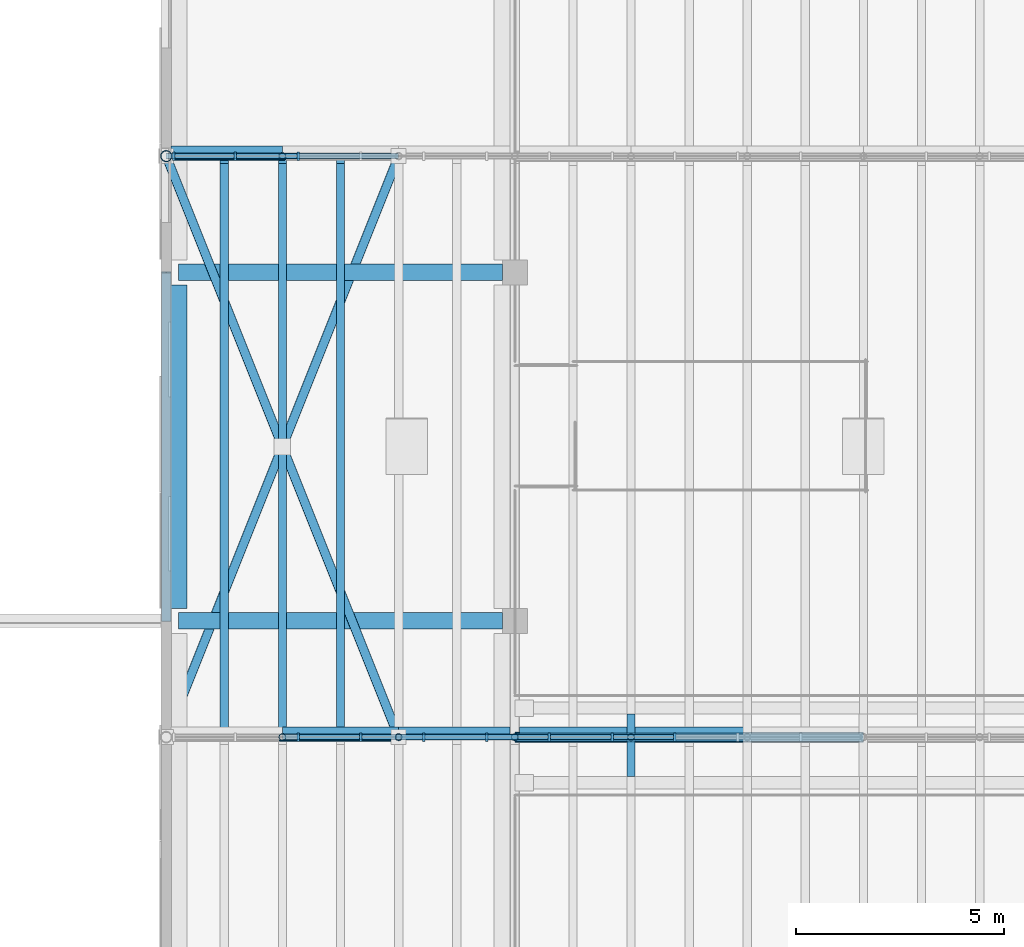
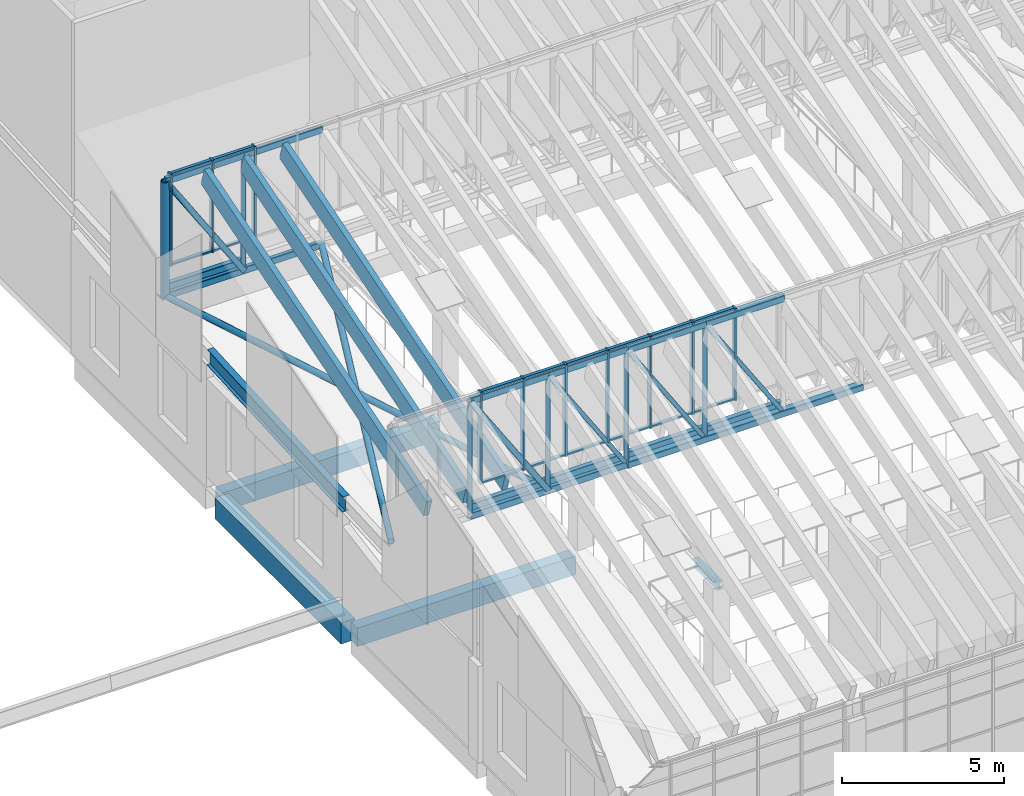
# One storey, part 9 of 91: 54 members, 10 beams, 2 elements without a shape of their own.
"""IFC4 building model written with IfcOpenShell, lengths in metres."""

from ifc_helpers import new_model, si_unit, direction, frame, origin, origin_2d, place, context, subcontext, project, spatial, rectangle, hollow_rectangle, hollow_circle, i_section, extrude, material, material_profile, profile_set, type_object, element, aggregate, save


model = new_model("IFC4")

# Units and contexts
model_context = context("Model", 3, precision=1e-05, world=origin(), true_north=direction((0.0, 1.0)))
body_context = subcontext(model_context, "Body", "Model", "MODEL_VIEW")
ifc_project = project(units=[si_unit("LENGTHUNIT", "METRE"), si_unit("AREAUNIT", "SQUARE_METRE"), si_unit("VOLUMEUNIT", "CUBIC_METRE"), si_unit("PLANEANGLEUNIT", "RADIAN"), si_unit("MASSUNIT", "GRAM", prefix="KILO")], contexts=[model_context])

# Site, building, storey
site_placement = place(None, origin())
site = spatial("IfcSite", under=ifc_project, at=site_placement, CompositionType="ELEMENT")
building_placement = place(site_placement, origin())
building = spatial("IfcBuilding", under=site, at=building_placement, Name="Almond Square Museum", CompositionType="ELEMENT")
storey_placement = place(building_placement, frame((0.0, 0.0, 30.0)))
storey = spatial("IfcBuildingStorey", under=building, at=storey_placement, Name="L05", CompositionType="ELEMENT", Elevation=30.0)

# Curtain wall, members
ifc_material_1 = material(Name="Aluminium and laminated glass", Category="aluminium")
curtain_wall_type = type_object("IfcCurtainWallType", Name="Unitised curtain wall 1500 module", PredefinedType="NOTDEFINED", material=ifc_material_1)
curtain_wall_1_placement = place(storey_placement, origin())
curtain_wall_1 = element("IfcCurtainWall", 1, at=curtain_wall_1_placement, inside=storey, type_object=curtain_wall_type, Name="Rooflight glazing AG1", PredefinedType="NOTDEFINED")
ifc_material_2 = material(Name="Anodised aluminium", Category="aluminium")
ifc_material_profile_1 = material_profile(ifc_material_2, rectangle(XDim=0.199951171875, YDim=0.06005859375, at=origin_2d()))
ifc_profile_set_1 = profile_set([ifc_material_profile_1], Name="Anodised aluminium")
member_type_1 = type_object("IfcMemberType", Name="Aluminium mullion 60 x 200", PredefinedType="MULLION", material=ifc_profile_set_1)
member_1_placement = place(storey_placement, frame((76.377197265625, 81.199951171875, 5.800048828125), z_axis=(0.0, 0.0, 1.0), x_axis=(0.0, 1.0, 0.0)))
member_1 = element("IfcMember", 2, at=member_1_placement, type_object=member_type_1, Name="CW-56 mullion 3", PredefinedType="MULLION", context=body_context, shape_type="SweptSolid", body=[
    extrude(rectangle(XDim=0.199951171875, YDim=0.06005859375, at=origin_2d()), origin(), (0.0, 0.0, 1.0), 3.480224609375),
])
member_2_placement = place(storey_placement, frame((77.890869140625, 81.199951171875, 5.800048828125), z_axis=(0.0, 0.0, 1.0), x_axis=(0.0, 1.0, 0.0)))
member_2 = element("IfcMember", 3, at=member_2_placement, type_object=member_type_1, Name="CW-56 mullion 4", PredefinedType="MULLION", context=body_context, shape_type="SweptSolid", body=[
    extrude(rectangle(XDim=0.199951171875, YDim=0.06005859375, at=origin_2d()), origin(), (0.0, 0.0, 1.0), 3.480224609375),
])
member_3_placement = place(storey_placement, frame((79.404541015625, 81.199951171875, 5.800048828125), z_axis=(0.0, 0.0, 1.0), x_axis=(0.0, 1.0, 0.0)))
member_3 = element("IfcMember", 4, at=member_3_placement, type_object=member_type_1, Name="CW-56 mullion 5", PredefinedType="MULLION", context=body_context, shape_type="SweptSolid", body=[
    extrude(rectangle(XDim=0.199951171875, YDim=0.06005859375, at=origin_2d()), origin(), (0.0, 0.0, 1.0), 3.480224609375),
])
member_4_placement = place(storey_placement, frame((80.918212890625, 81.199951171875, 5.800048828125), z_axis=(0.0, 0.0, 1.0), x_axis=(0.0, 1.0, 0.0)))
member_4 = element("IfcMember", 5, at=member_4_placement, type_object=member_type_1, Name="CW-56 mullion 6", PredefinedType="MULLION", context=body_context, shape_type="SweptSolid", body=[
    extrude(rectangle(XDim=0.199951171875, YDim=0.06005859375, at=origin_2d()), origin(), (0.0, 0.0, 1.0), 3.480224609375),
])
member_5_placement = place(storey_placement, frame((82.431884765625, 81.199951171875, 5.800048828125), z_axis=(0.0, 0.0, 1.0), x_axis=(0.0, 1.0, 0.0)))
member_5 = element("IfcMember", 6, at=member_5_placement, type_object=member_type_1, Name="CW-56 mullion 7", PredefinedType="MULLION", context=body_context, shape_type="SweptSolid", body=[
    extrude(rectangle(XDim=0.199951171875, YDim=0.06005859375, at=origin_2d()), origin(), (0.0, 0.0, 1.0), 3.480224609375),
])
member_6_placement = place(storey_placement, frame((83.945556640625, 81.199951171875, 5.800048828125), z_axis=(0.0, 0.0, 1.0), x_axis=(0.0, 1.0, 0.0)))
member_6 = element("IfcMember", 7, at=member_6_placement, type_object=member_type_1, Name="CW-56 mullion 8", PredefinedType="MULLION", context=body_context, shape_type="SweptSolid", body=[
    extrude(rectangle(XDim=0.199951171875, YDim=0.06005859375, at=origin_2d()), origin(), (0.0, 0.0, 1.0), 3.480224609375),
])
member_7_placement = place(storey_placement, frame((85.458984375, 81.199951171875, 5.800048828125), z_axis=(0.0, 0.0, 1.0), x_axis=(0.0, 1.0, 0.0)))
member_7 = element("IfcMember", 8, at=member_7_placement, type_object=member_type_1, Name="CW-56 mullion 9", PredefinedType="MULLION", context=body_context, shape_type="SweptSolid", body=[
    extrude(rectangle(XDim=0.199951171875, YDim=0.06005859375, at=origin_2d()), origin(), (0.0, 0.0, 1.0), 3.480224609375),
])

curtain_wall_2_placement = place(storey_placement, origin())
curtain_wall_2 = element("IfcCurtainWall", 9, at=curtain_wall_2_placement, inside=storey, type_object=curtain_wall_type, Name="Rooflight glazing AG2", PredefinedType="NOTDEFINED")
member_8_placement = place(storey_placement, frame((73.3798828125, 95.199951171875, 6.60009765625), z_axis=(0.0, 0.0, 1.0), x_axis=(0.0, 1.0, 0.0)))
member_8 = element("IfcMember", 10, at=member_8_placement, type_object=member_type_1, Name="CW-57 mullion 1", PredefinedType="MULLION", context=body_context, shape_type="SweptSolid", body=[
    extrude(rectangle(XDim=0.199951171875, YDim=0.06005859375, at=origin_2d()), origin(), (0.0, 0.0, 1.0), 3.480224609375),
])
member_9_placement = place(storey_placement, frame((74.863525390625, 95.199951171875, 6.60009765625), z_axis=(0.0, 0.0, 1.0), x_axis=(0.0, 1.0, 0.0)))
member_9 = element("IfcMember", 11, at=member_9_placement, type_object=member_type_1, Name="CW-57 mullion 2", PredefinedType="MULLION", context=body_context, shape_type="SweptSolid", body=[
    extrude(rectangle(XDim=0.199951171875, YDim=0.06005859375, at=origin_2d()), origin(), (0.0, 0.0, 1.0), 3.480224609375),
])
member_10_placement = place(storey_placement, frame((76.377197265625, 95.199951171875, 6.60009765625), z_axis=(0.0, 0.0, 1.0), x_axis=(0.0, 1.0, 0.0)))
member_10 = element("IfcMember", 12, at=member_10_placement, type_object=member_type_1, Name="CW-57 mullion 3", PredefinedType="MULLION", context=body_context, shape_type="SweptSolid", body=[
    extrude(rectangle(XDim=0.199951171875, YDim=0.06005859375, at=origin_2d()), origin(), (0.0, 0.0, 1.0), 3.480224609375),
])

# Member
ifc_material_3 = material(Name="Anodised aluminium", Category="aluminium")
ifc_material_profile_2 = material_profile(ifc_material_3, rectangle(XDim=0.1201171875, YDim=0.06005859375, at=origin_2d()))
ifc_profile_set_2 = profile_set([ifc_material_profile_2], Name="Anodised aluminium")
member_type_2 = type_object("IfcMemberType", Name="Aluminium transom 60 x 120", PredefinedType="USERDEFINED", material=ifc_profile_set_2)
member_11_placement = place(storey_placement, frame((76.4072265625, 81.199951171875, 5.830078125), z_axis=(1.0, 0.0, 0.0), x_axis=(0.0, 1.0, 0.0)))
member_11 = element("IfcMember", 13, at=member_11_placement, type_object=member_type_2, Name="CW-56 transom 3.1", ObjectType="TRANSOM", PredefinedType="USERDEFINED", context=body_context, shape_type="SweptSolid", body=[
    extrude(rectangle(XDim=0.1201171875, YDim=0.06005859375, at=origin_2d()), origin(), (0.0, 0.0, 1.0), 1.45361328125),
])

member_12_placement = place(storey_placement, frame((76.4072265625, 81.199951171875, 9.250244140625), z_axis=(1.0, 0.0, 0.0), x_axis=(0.0, 1.0, 0.0)))
member_12 = element("IfcMember", 14, at=member_12_placement, type_object=member_type_2, Name="CW-56 transom 3.2", ObjectType="TRANSOM", PredefinedType="USERDEFINED", context=body_context, shape_type="SweptSolid", body=[
    extrude(rectangle(XDim=0.1201171875, YDim=0.06005859375, at=origin_2d()), origin(), (0.0, 0.0, 1.0), 1.45361328125),
])

member_13_placement = place(storey_placement, frame((77.9208984375, 81.199951171875, 5.830078125), z_axis=(1.0, 0.0, 0.0), x_axis=(0.0, 1.0, 0.0)))
member_13 = element("IfcMember", 15, at=member_13_placement, type_object=member_type_2, Name="CW-56 transom 4.1", ObjectType="TRANSOM", PredefinedType="USERDEFINED", context=body_context, shape_type="SweptSolid", body=[
    extrude(rectangle(XDim=0.1201171875, YDim=0.06005859375, at=origin_2d()), origin(), (0.0, 0.0, 1.0), 1.45361328125),
])

member_14_placement = place(storey_placement, frame((77.9208984375, 81.199951171875, 9.250244140625), z_axis=(1.0, 0.0, 0.0), x_axis=(0.0, 1.0, 0.0)))
member_14 = element("IfcMember", 16, at=member_14_placement, type_object=member_type_2, Name="CW-56 transom 4.2", ObjectType="TRANSOM", PredefinedType="USERDEFINED", context=body_context, shape_type="SweptSolid", body=[
    extrude(rectangle(XDim=0.1201171875, YDim=0.06005859375, at=origin_2d()), origin(), (0.0, 0.0, 1.0), 1.45361328125),
])

member_15_placement = place(storey_placement, frame((79.4345703125, 81.199951171875, 5.830078125), z_axis=(1.0, 0.0, 0.0), x_axis=(0.0, 1.0, 0.0)))
member_15 = element("IfcMember", 17, at=member_15_placement, type_object=member_type_2, Name="CW-56 transom 5.1", ObjectType="TRANSOM", PredefinedType="USERDEFINED", context=body_context, shape_type="SweptSolid", body=[
    extrude(rectangle(XDim=0.1201171875, YDim=0.06005859375, at=origin_2d()), origin(), (0.0, 0.0, 1.0), 1.45361328125),
])

member_16_placement = place(storey_placement, frame((79.4345703125, 81.199951171875, 9.250244140625), z_axis=(1.0, 0.0, 0.0), x_axis=(0.0, 1.0, 0.0)))
member_16 = element("IfcMember", 18, at=member_16_placement, type_object=member_type_2, Name="CW-56 transom 5.2", ObjectType="TRANSOM", PredefinedType="USERDEFINED", context=body_context, shape_type="SweptSolid", body=[
    extrude(rectangle(XDim=0.1201171875, YDim=0.06005859375, at=origin_2d()), origin(), (0.0, 0.0, 1.0), 1.45361328125),
])

member_17_placement = place(storey_placement, frame((80.9482421875, 81.199951171875, 5.830078125), z_axis=(1.0, 0.0, 0.0), x_axis=(0.0, 1.0, 0.0)))
member_17 = element("IfcMember", 19, at=member_17_placement, type_object=member_type_2, Name="CW-56 transom 6.1", ObjectType="TRANSOM", PredefinedType="USERDEFINED", context=body_context, shape_type="SweptSolid", body=[
    extrude(rectangle(XDim=0.1201171875, YDim=0.06005859375, at=origin_2d()), origin(), (0.0, 0.0, 1.0), 1.45361328125),
])

member_18_placement = place(storey_placement, frame((80.9482421875, 81.199951171875, 9.250244140625), z_axis=(1.0, 0.0, 0.0), x_axis=(0.0, 1.0, 0.0)))
member_18 = element("IfcMember", 20, at=member_18_placement, type_object=member_type_2, Name="CW-56 transom 6.2", ObjectType="TRANSOM", PredefinedType="USERDEFINED", context=body_context, shape_type="SweptSolid", body=[
    extrude(rectangle(XDim=0.1201171875, YDim=0.06005859375, at=origin_2d()), origin(), (0.0, 0.0, 1.0), 1.45361328125),
])

member_19_placement = place(storey_placement, frame((82.4619140625, 81.199951171875, 5.830078125), z_axis=(1.0, 0.0, 0.0), x_axis=(0.0, 1.0, 0.0)))
member_19 = element("IfcMember", 21, at=member_19_placement, type_object=member_type_2, Name="CW-56 transom 7.1", ObjectType="TRANSOM", PredefinedType="USERDEFINED", context=body_context, shape_type="SweptSolid", body=[
    extrude(rectangle(XDim=0.1201171875, YDim=0.06005859375, at=origin_2d()), origin(), (0.0, 0.0, 1.0), 1.45361328125),
])

member_20_placement = place(storey_placement, frame((82.4619140625, 81.199951171875, 9.250244140625), z_axis=(1.0, 0.0, 0.0), x_axis=(0.0, 1.0, 0.0)))
member_20 = element("IfcMember", 22, at=member_20_placement, type_object=member_type_2, Name="CW-56 transom 7.2", ObjectType="TRANSOM", PredefinedType="USERDEFINED", context=body_context, shape_type="SweptSolid", body=[
    extrude(rectangle(XDim=0.1201171875, YDim=0.06005859375, at=origin_2d()), origin(), (0.0, 0.0, 1.0), 1.45361328125),
])

member_21_placement = place(storey_placement, frame((83.975341796875, 81.199951171875, 5.830078125), z_axis=(1.0, 0.0, 0.0), x_axis=(0.0, 1.0, 0.0)))
member_21 = element("IfcMember", 23, at=member_21_placement, type_object=member_type_2, Name="CW-56 transom 8.1", ObjectType="TRANSOM", PredefinedType="USERDEFINED", context=body_context, shape_type="SweptSolid", body=[
    extrude(rectangle(XDim=0.1201171875, YDim=0.06005859375, at=origin_2d()), origin(), (0.0, 0.0, 1.0), 1.453857421875),
])

member_22_placement = place(storey_placement, frame((83.975341796875, 81.199951171875, 9.250244140625), z_axis=(1.0, 0.0, 0.0), x_axis=(0.0, 1.0, 0.0)))
member_22 = element("IfcMember", 24, at=member_22_placement, type_object=member_type_2, Name="CW-56 transom 8.2", ObjectType="TRANSOM", PredefinedType="USERDEFINED", context=body_context, shape_type="SweptSolid", body=[
    extrude(rectangle(XDim=0.1201171875, YDim=0.06005859375, at=origin_2d()), origin(), (0.0, 0.0, 1.0), 1.453857421875),
])

aggregate(curtain_wall_1, [member_1, member_2, member_3, member_4, member_5, member_6, member_7, member_11, member_12, member_13, member_14, member_15, member_16, member_17, member_18, member_19, member_20, member_21, member_22])

member_23_placement = place(storey_placement, frame((73.409912109375, 95.199951171875, 6.6298828125), z_axis=(1.0, 0.0, 0.0), x_axis=(0.0, 1.0, 0.0)))
member_23 = element("IfcMember", 25, at=member_23_placement, type_object=member_type_2, Name="CW-57 transom 1.1", ObjectType="TRANSOM", PredefinedType="USERDEFINED", context=body_context, shape_type="SweptSolid", body=[
    extrude(rectangle(XDim=0.1201171875, YDim=0.06005859375, at=origin_2d()), origin(), (0.0, 0.0, 1.0), 1.423828125),
])

member_24_placement = place(storey_placement, frame((73.409912109375, 95.199951171875, 10.05029296875), z_axis=(1.0, 0.0, 0.0), x_axis=(0.0, 1.0, 0.0)))
member_24 = element("IfcMember", 26, at=member_24_placement, type_object=member_type_2, Name="CW-57 transom 1.2", ObjectType="TRANSOM", PredefinedType="USERDEFINED", context=body_context, shape_type="SweptSolid", body=[
    extrude(rectangle(XDim=0.1201171875, YDim=0.06005859375, at=origin_2d()), origin(), (0.0, 0.0, 1.0), 1.423828125),
])

member_25_placement = place(storey_placement, frame((74.8935546875, 95.199951171875, 6.6298828125), z_axis=(1.0, 0.0, 0.0), x_axis=(0.0, 1.0, 0.0)))
member_25 = element("IfcMember", 27, at=member_25_placement, type_object=member_type_2, Name="CW-57 transom 2.1", ObjectType="TRANSOM", PredefinedType="USERDEFINED", context=body_context, shape_type="SweptSolid", body=[
    extrude(rectangle(XDim=0.1201171875, YDim=0.06005859375, at=origin_2d()), origin(), (0.0, 0.0, 1.0), 1.45361328125),
])

member_26_placement = place(storey_placement, frame((74.8935546875, 95.199951171875, 10.05029296875), z_axis=(1.0, 0.0, 0.0), x_axis=(0.0, 1.0, 0.0)))
member_26 = element("IfcMember", 28, at=member_26_placement, type_object=member_type_2, Name="CW-57 transom 2.2", ObjectType="TRANSOM", PredefinedType="USERDEFINED", context=body_context, shape_type="SweptSolid", body=[
    extrude(rectangle(XDim=0.1201171875, YDim=0.06005859375, at=origin_2d()), origin(), (0.0, 0.0, 1.0), 1.45361328125),
])

aggregate(curtain_wall_2, [member_8, member_9, member_10, member_23, member_24, member_25, member_26])

# Beams
ifc_material_4 = material(Name="Structural steel S355", Category="steel")
ifc_material_profile_3 = material_profile(ifc_material_4, i_section(OverallWidth=0.202880859375, OverallDepth=0.302001953125, WebThickness=0.007568359375, FlangeThickness=0.01318359375, at=origin_2d()))
ifc_profile_set_3 = profile_set([ifc_material_profile_3], Name="Structural steel S355")
beam_type_1 = type_object("IfcBeamType", Name="Floor beam W310x60", PredefinedType="BEAM", material=ifc_profile_set_3)
beam_1_placement = place(storey_placement, frame((84.39990234375, 80.24609375, -0.301025390625), z_axis=(0.0, 1.0, 0.0), x_axis=(-1.0, 0.0, 0.0)))
element("IfcBeam", 29, at=beam_1_placement, inside=storey, type_object=beam_type_1, Name="Bridge 7 cross beam 1", PredefinedType="BEAM", context=body_context, shape_type="SweptSolid", body=[
    extrude(i_section(OverallWidth=0.202880859375, OverallDepth=0.302001953125, WebThickness=0.007568359375, FlangeThickness=0.01318359375, at=origin_2d()), origin(), (0.0, 0.0, 1.0), 1.5078125),
])
ifc_material_5 = material(Name="Structural steel S355", Category="steel")
ifc_material_profile_4 = material_profile(ifc_material_5, i_section(OverallWidth=0.22802734375, OverallDepth=0.60693359375, WebThickness=0.01123046875, FlangeThickness=0.017333984375, at=origin_2d()))
ifc_profile_set_4 = profile_set([ifc_material_profile_4], Name="Structural steel S355")
beam_type_2 = type_object("IfcBeamType", Name="Girder W610x113", PredefinedType="BEAM", material=ifc_profile_set_4)
beam_2_placement = place(storey_placement, frame((73.199951171875, 84.0, 4.436767578125), z_axis=(0.0, 0.998371428865, 0.0570481378), x_axis=(-1.0, 0.0, 0.0)))
element("IfcBeam", 30, at=beam_2_placement, inside=storey, type_object=beam_type_2, Name="Atrium roof girder 1.2", PredefinedType="BEAM", context=body_context, shape_type="SweptSolid", body=[
    extrude(i_section(OverallWidth=0.22802734375, OverallDepth=0.60693359375, WebThickness=0.01123046875, FlangeThickness=0.017333984375, at=origin_2d()), origin(), (0.0, 0.0, 1.0), 8.41357421875),
])

# Members
ifc_material_6 = material(Name="Glulam GL28h", Category="wood")
ifc_material_profile_5 = material_profile(ifc_material_6, rectangle(XDim=0.199951171875, YDim=0.699951171875, at=origin_2d()))
ifc_profile_set_5 = profile_set([ifc_material_profile_5], Name="Glulam GL28h")
member_type_3 = type_object("IfcMemberType", Name="Glulam rafter GL28h 200x700", PredefinedType="RAFTER", material=ifc_profile_set_5)
for number, where, z_axis, x_axis, name in (
    (31, (74.60009765625, 81.35791015625, 5.377685546875), (0.0, 0.956305482031, 0.29236932985), (-1.0, 0.0, 0.0), "Atrium rafter 2.2"),
    (32, (76.0, 81.35791015625, 5.377685546875), (0.0, 0.956305482031, 0.29236932985), (-1.0, 0.0, 0.0), "Atrium rafter 2.3"),
    (33, (77.39990234375, 81.35791015625, 5.377685546875), (0.0, 0.956305482031, 0.29236932985), (-1.0, 0.0, 0.0), "Atrium rafter 2.4"),
):
    element("IfcMember", number, at=place(storey_placement, frame(where, z_axis=z_axis, x_axis=x_axis)), inside=storey, type_object=member_type_3, Name=name, PredefinedType="RAFTER", context=body_context, shape_type="SweptSolid", body=[
        extrude(rectangle(XDim=0.199951171875, YDim=0.699951171875, at=origin_2d()), origin(), (0.0, 0.0, 1.0), 14.396240234375),
    ])

# Beams
ifc_material_7 = material(Name="Concrete C40/50", Category="concrete")
ifc_material_profile_6 = material_profile(ifc_material_7, rectangle(XDim=0.39990234375, YDim=0.699951171875, at=origin_2d()))
ifc_profile_set_6 = profile_set([ifc_material_profile_6], Name="Concrete C40/50")
beam_type_3 = type_object("IfcBeamType", Name="RC beam 400 x 700 C40/50", PredefinedType="BEAM", material=ifc_profile_set_6)
for number, where, z_axis, x_axis, name in (
    (34, (73.5, 84.0, -0.60009765625), (1.0, 0.0, 0.0), (0.0, 1.0, 0.0), "Beam K 10-11 L05"),
    (35, (73.5, 92.39990234375, -0.60009765625), (1.0, 0.0, 0.0), (0.0, 1.0, 0.0), "Beam L 10-11 L05"),
):
    element("IfcBeam", number, at=place(storey_placement, frame(where, z_axis=z_axis, x_axis=x_axis)), inside=storey, type_object=beam_type_3, Name=name, PredefinedType="BEAM", context=body_context, shape_type="SweptSolid", body=[
        extrude(rectangle(XDim=0.39990234375, YDim=0.699951171875, at=origin_2d()), origin(), (0.0, 0.0, 1.0), 7.800048828125),
    ])
ifc_material_8 = material(Name="Concrete C40/50", Category="concrete")
ifc_material_profile_7 = material_profile(ifc_material_8, rectangle(XDim=0.5, YDim=0.800048828125, at=origin_2d()))
ifc_profile_set_7 = profile_set([ifc_material_profile_7], Name="Concrete C40/50")
beam_type_4 = type_object("IfcBeamType", Name="RC edge beam 500 x 800 C40/50", PredefinedType="BEAM", material=ifc_profile_set_7)
beam_3_placement = place(storey_placement, frame((73.449951171875, 84.300048828125, -0.64990234375), z_axis=(0.0, 1.0, 0.0), x_axis=(-1.0, 0.0, 0.0)))
element("IfcBeam", 36, at=beam_3_placement, inside=storey, type_object=beam_type_4, Name="Edge beam 10 K-L L05", PredefinedType="BEAM", context=body_context, shape_type="SweptSolid", body=[
    extrude(rectangle(XDim=0.5, YDim=0.800048828125, at=origin_2d()), origin(), (0.0, 0.0, 1.0), 7.800048828125),
])

# Members
ifc_material_9 = material(Name="Structural steel S355", Category="steel")
ifc_material_profile_8 = material_profile(ifc_material_9, hollow_circle(Radius=0.109619140625, WallThickness=0.010009765625, at=origin_2d()))
ifc_profile_set_8 = profile_set([ifc_material_profile_8], Name="Structural steel S355")
member_type_4 = type_object("IfcMemberType", Name="Roof brace CHS 219.1x10", PredefinedType="BRACE", material=ifc_profile_set_8)
member_27_placement = place(storey_placement, frame((73.199951171875, 81.199951171875, 4.705078125), z_axis=(0.370874574302, 0.927170267188, 0.052984391838), x_axis=(-0.928474457584, 0.371396259558, 0.0)))
element("IfcMember", 37, at=member_27_placement, inside=storey, type_object=member_type_4, Name="Atrium bay 1 plan brace", PredefinedType="BRACE", context=body_context, shape_type="SweptSolid", body=[
    extrude(hollow_circle(Radius=0.109619140625, WallThickness=0.010009765625, at=origin_2d()), origin(), (0.0, 0.0, 1.0), 15.099609375),
])
for number, where, z_axis, x_axis, name in (
    (38, (78.800048828125, 81.199951171875, 4.705078125), (-0.370874256532, 0.927169472778, 0.053000514993), (-0.928474457584, -0.371396259558, 0.0), "Atrium bay 1 plan brace"),
    (39, (76.0, 88.199951171875, 5.105224609375), (-0.370874891975, 0.927171061358, 0.052968268642), (-0.928474457584, -0.371396259558, 0.0), "Atrium bay 1 plan brace"),
):
    element("IfcMember", number, at=place(storey_placement, frame(where, z_axis=z_axis, x_axis=x_axis)), inside=storey, type_object=member_type_4, Name=name, PredefinedType="BRACE", context=body_context, shape_type="SweptSolid", body=[
        extrude(hollow_circle(Radius=0.109619140625, WallThickness=0.010009765625, at=origin_2d()), origin(), (0.0, 0.0, 1.0), 7.5498046875),
    ])
ifc_material_10 = material(Name="Structural steel S355", Category="steel")
ifc_material_profile_9 = material_profile(ifc_material_10, hollow_rectangle(XDim=0.14990234375, YDim=0.25, WallThickness=0.010009765625, InnerFilletRadius=0.014892578125, OuterFilletRadius=0.02490234375, at=origin_2d()))
ifc_profile_set_9 = profile_set([ifc_material_profile_9], Name="Structural steel S355")
member_type_5 = type_object("IfcMemberType", Name="Truss chord RHS 250x150x10", PredefinedType="CHORD", material=ifc_profile_set_9)
for number, where, z_axis, x_axis, name in (
    (40, (76.0, 81.199951171875, 9.05078125), (1.0, 0.0, 0.0), (0.0, 1.0, 0.0), "TR-10 top chord 2"),
    (41, (76.0, 81.199951171875, 4.705078125), (1.0, 0.0, 0.0), (0.0, 1.0, 0.0), "TR-10 bottom chord 2"),
    (42, (78.800048828125, 81.199951171875, 9.05078125), (1.0, 0.0, 0.0), (0.0, 1.0, 0.0), "TR-10 top chord 3"),
    (43, (78.800048828125, 81.199951171875, 4.705078125), (1.0, 0.0, 0.0), (0.0, 1.0, 0.0), "TR-10 bottom chord 3"),
    (44, (73.199951171875, 95.199951171875, 9.8505859375), (1.0, 0.0, 0.0), (0.0, 1.0, 0.0), "TR-11 top chord 1"),
    (45, (73.199951171875, 95.199951171875, 5.505126953125), (1.0, 0.0, 0.0), (0.0, 1.0, 0.0), "TR-11 bottom chord 1"),
    (46, (76.0, 95.199951171875, 9.8505859375), (1.0, 0.0, 0.0), (0.0, 1.0, 0.0), "TR-11 top chord 2"),
    (47, (76.0, 95.199951171875, 5.505126953125), (1.0, 0.0, 0.0), (0.0, 1.0, 0.0), "TR-11 bottom chord 2"),
):
    element("IfcMember", number, at=place(storey_placement, frame(where, z_axis=z_axis, x_axis=x_axis)), inside=storey, type_object=member_type_5, Name=name, PredefinedType="CHORD", context=body_context, shape_type="SweptSolid", body=[
        extrude(hollow_rectangle(XDim=0.14990234375, YDim=0.25, WallThickness=0.010009765625, InnerFilletRadius=0.014892578125, OuterFilletRadius=0.02490234375, at=origin_2d()), origin(), (0.0, 0.0, 1.0), 2.800048828125),
    ])
ifc_material_11 = material(Name="Structural steel S355", Category="steel")
ifc_material_profile_10 = material_profile(ifc_material_11, hollow_rectangle(XDim=0.25, YDim=0.25, WallThickness=0.012451171875, InnerFilletRadius=0.02490234375, OuterFilletRadius=0.03759765625, at=origin_2d()))
ifc_profile_set_10 = profile_set([ifc_material_profile_10], Name="Structural steel S355")
member_type_6 = type_object("IfcMemberType", Name="Truss chord SHS 250x250x12.5", PredefinedType="CHORD", material=ifc_profile_set_10)
member_28_placement = place(storey_placement, frame((81.60009765625, 81.199951171875, 9.05078125), z_axis=(1.0, 0.0, 0.0), x_axis=(0.0, 1.0, 0.0)))
element("IfcMember", 48, at=member_28_placement, inside=storey, type_object=member_type_6, Name="TR-10 top chord 4", PredefinedType="CHORD", context=body_context, shape_type="SweptSolid", body=[
    extrude(hollow_rectangle(XDim=0.25, YDim=0.25, WallThickness=0.012451171875, InnerFilletRadius=0.02490234375, OuterFilletRadius=0.03759765625, at=origin_2d()), origin(), (0.0, 0.0, 1.0), 2.7998046875),
])
member_29_placement = place(storey_placement, frame((81.60009765625, 81.199951171875, 4.705078125), z_axis=(1.0, 0.0, 0.0), x_axis=(0.0, 1.0, 0.0)))
element("IfcMember", 49, at=member_29_placement, inside=storey, type_object=member_type_6, Name="TR-10 bottom chord 4 to 6", PredefinedType="CHORD", context=body_context, shape_type="SweptSolid", body=[
    extrude(hollow_rectangle(XDim=0.25, YDim=0.25, WallThickness=0.012451171875, InnerFilletRadius=0.02490234375, OuterFilletRadius=0.03759765625, at=origin_2d()), origin(), (0.0, 0.0, 1.0), 8.39990234375),
])
member_30_placement = place(storey_placement, frame((84.39990234375, 81.199951171875, 9.05078125), z_axis=(1.0, 0.0, 0.0), x_axis=(0.0, 1.0, 0.0)))
element("IfcMember", 50, at=member_30_placement, inside=storey, type_object=member_type_6, Name="TR-10 top chord 5", PredefinedType="CHORD", context=body_context, shape_type="SweptSolid", body=[
    extrude(hollow_rectangle(XDim=0.25, YDim=0.25, WallThickness=0.012451171875, InnerFilletRadius=0.02490234375, OuterFilletRadius=0.03759765625, at=origin_2d()), origin(), (0.0, 0.0, 1.0), 2.800048828125),
])
ifc_material_12 = material(Name="Structural steel S355", Category="steel")
ifc_material_profile_11 = material_profile(ifc_material_12, hollow_rectangle(XDim=0.14990234375, YDim=0.14990234375, WallThickness=0.008056640625, InnerFilletRadius=0.011962890625, OuterFilletRadius=0.02001953125, at=origin_2d()))
ifc_profile_set_11 = profile_set([ifc_material_profile_11], Name="Structural steel S355")
member_type_7 = type_object("IfcMemberType", Name="Truss diagonal SHS 150x150x8", PredefinedType="BRACE", material=ifc_profile_set_11)
member_31_placement = place(storey_placement, frame((78.800048828125, 81.199951171875, 9.05078125), z_axis=(0.541630888831, 0.0, -0.840616428738), x_axis=(0.0, 1.0, 0.0)))
element("IfcMember", 51, at=member_31_placement, inside=storey, type_object=member_type_7, Name="TR-10 diagonal 3", PredefinedType="BRACE", context=body_context, shape_type="SweptSolid", body=[
    extrude(hollow_rectangle(XDim=0.14990234375, YDim=0.14990234375, WallThickness=0.008056640625, InnerFilletRadius=0.011962890625, OuterFilletRadius=0.02001953125, at=origin_2d()), origin(), (0.0, 0.0, 1.0), 5.169677734375),
])
member_32_placement = place(storey_placement, frame((81.60009765625, 81.199951171875, 9.05078125), z_axis=(0.541597516213, 0.0, -0.840637930641), x_axis=(0.0, 1.0, 0.0)))
element("IfcMember", 52, at=member_32_placement, inside=storey, type_object=member_type_7, Name="TR-10 diagonal 4", PredefinedType="BRACE", context=body_context, shape_type="SweptSolid", body=[
    extrude(hollow_rectangle(XDim=0.14990234375, YDim=0.14990234375, WallThickness=0.008056640625, InnerFilletRadius=0.011962890625, OuterFilletRadius=0.02001953125, at=origin_2d()), origin(), (0.0, 0.0, 1.0), 5.16943359375),
])
member_33_placement = place(storey_placement, frame((84.39990234375, 81.199951171875, 9.05078125), z_axis=(0.541630888831, 0.0, -0.840616428738), x_axis=(0.0, 1.0, 0.0)))
element("IfcMember", 53, at=member_33_placement, inside=storey, type_object=member_type_7, Name="TR-10 diagonal 5", PredefinedType="BRACE", context=body_context, shape_type="SweptSolid", body=[
    extrude(hollow_rectangle(XDim=0.14990234375, YDim=0.14990234375, WallThickness=0.008056640625, InnerFilletRadius=0.011962890625, OuterFilletRadius=0.02001953125, at=origin_2d()), origin(), (0.0, 0.0, 1.0), 5.169677734375),
])
ifc_material_13 = material(Name="Structural steel S355", Category="steel")
ifc_material_profile_12 = material_profile(ifc_material_13, hollow_rectangle(XDim=0.199951171875, YDim=0.199951171875, WallThickness=0.010009765625, InnerFilletRadius=0.014892578125, OuterFilletRadius=0.02490234375, at=origin_2d()))
ifc_profile_set_12 = profile_set([ifc_material_profile_12], Name="Structural steel S355")
member_type_8 = type_object("IfcMemberType", Name="Truss diagonal SHS 200x200x10", PredefinedType="BRACE", material=ifc_profile_set_12)
member_34_placement = place(storey_placement, frame((76.0, 81.199951171875, 9.05078125), z_axis=(0.541630888831, 0.0, -0.840616428738), x_axis=(0.0, 1.0, 0.0)))
element("IfcMember", 54, at=member_34_placement, inside=storey, type_object=member_type_8, Name="TR-10 diagonal 2", PredefinedType="BRACE", context=body_context, shape_type="SweptSolid", body=[
    extrude(hollow_rectangle(XDim=0.199951171875, YDim=0.199951171875, WallThickness=0.010009765625, InnerFilletRadius=0.014892578125, OuterFilletRadius=0.02490234375, at=origin_2d()), origin(), (0.0, 0.0, 1.0), 5.169677734375),
])
member_35_placement = place(storey_placement, frame((73.199951171875, 95.199951171875, 9.8505859375), z_axis=(0.541652391523, 0.0, -0.840602573609), x_axis=(0.0, 1.0, 0.0)))
element("IfcMember", 55, at=member_35_placement, inside=storey, type_object=member_type_8, Name="TR-11 diagonal 1", PredefinedType="BRACE", context=body_context, shape_type="SweptSolid", body=[
    extrude(hollow_rectangle(XDim=0.199951171875, YDim=0.199951171875, WallThickness=0.010009765625, InnerFilletRadius=0.014892578125, OuterFilletRadius=0.02490234375, at=origin_2d()), origin(), (0.0, 0.0, 1.0), 5.16943359375),
])
ifc_material_14 = material(Name="Structural steel S355", Category="steel")
ifc_material_profile_13 = material_profile(ifc_material_14, hollow_circle(Radius=0.084228515625, WallThickness=0.008056640625, at=origin_2d()))
ifc_profile_set_13 = profile_set([ifc_material_profile_13], Name="Structural steel S355")
member_type_9 = type_object("IfcMemberType", Name="Truss post CHS 168.3x8", PredefinedType="POST", material=ifc_profile_set_13)
for number, where, z_axis, x_axis, name in (
    (56, (76.0, 81.199951171875, 4.705078125), (0.0, 0.0, 1.0), (1.0, 0.0, 0.0), "TR-10 post 2"),
    (57, (78.800048828125, 81.199951171875, 4.705078125), (0.0, 0.0, 1.0), (1.0, 0.0, 0.0), "TR-10 post 3"),
    (58, (81.60009765625, 81.199951171875, 4.705078125), (0.0, 0.0, 1.0), (1.0, 0.0, 0.0), "TR-10 post 4"),
    (59, (84.39990234375, 81.199951171875, 4.705078125), (0.0, 0.0, 1.0), (1.0, 0.0, 0.0), "TR-10 post 5"),
):
    element("IfcMember", number, at=place(storey_placement, frame(where, z_axis=z_axis, x_axis=x_axis)), inside=storey, type_object=member_type_9, Name=name, PredefinedType="POST", context=body_context, shape_type="SweptSolid", body=[
        extrude(hollow_circle(Radius=0.084228515625, WallThickness=0.008056640625, at=origin_2d()), origin(), (0.0, 0.0, 1.0), 4.345703125),
    ])
member_36_placement = place(storey_placement, frame((76.0, 95.199951171875, 5.505126953125), z_axis=(0.0, 0.0, 1.0), x_axis=(1.0, 0.0, 0.0)))
element("IfcMember", 60, at=member_36_placement, inside=storey, type_object=member_type_9, Name="TR-11 post 2", PredefinedType="POST", context=body_context, shape_type="SweptSolid", body=[
    extrude(hollow_circle(Radius=0.084228515625, WallThickness=0.008056640625, at=origin_2d()), origin(), (0.0, 0.0, 1.0), 4.345458984375),
])
ifc_material_15 = material(Name="Structural steel S355", Category="steel")
ifc_material_profile_14 = material_profile(ifc_material_15, hollow_circle(Radius=0.136474609375, WallThickness=0.012451171875, at=origin_2d()))
ifc_profile_set_14 = profile_set([ifc_material_profile_14], Name="Structural steel S355")
member_type_10 = type_object("IfcMemberType", Name="Truss post CHS 273x12.5", PredefinedType="POST", material=ifc_profile_set_14)
member_37_placement = place(storey_placement, frame((73.199951171875, 95.199951171875, 5.505126953125), z_axis=(0.0, 0.0, 1.0), x_axis=(1.0, 0.0, 0.0)))
element("IfcMember", 61, at=member_37_placement, inside=storey, type_object=member_type_10, Name="TR-11 post 1", PredefinedType="POST", context=body_context, shape_type="SweptSolid", body=[
    extrude(hollow_circle(Radius=0.136474609375, WallThickness=0.012451171875, at=origin_2d()), origin(), (0.0, 0.0, 1.0), 4.345458984375),
])

# Beams
ifc_material_16 = material(Name="Structural steel S355", Category="steel")
ifc_material_profile_15 = material_profile(ifc_material_16, i_section(OverallWidth=0.166015625, OverallDepth=0.528076171875, WebThickness=0.009765625, FlangeThickness=0.013671875, at=origin_2d()))
ifc_profile_set_15 = profile_set([ifc_material_profile_15], Name="Structural steel S355")
beam_type_5 = type_object("IfcBeamType", Name="Valley beam W530x74", PredefinedType="BEAM", material=ifc_profile_set_15)
beam_4_placement = place(storey_placement, frame((76.0, 81.35791015625, 4.787841796875), z_axis=(1.0, 0.0, 0.0), x_axis=(0.0, 1.0, 0.0)))
element("IfcBeam", 62, at=beam_4_placement, inside=storey, type_object=beam_type_5, Name="Atrium valley beam 1.2", PredefinedType="BEAM", context=body_context, shape_type="SweptSolid", body=[
    extrude(i_section(OverallWidth=0.166015625, OverallDepth=0.528076171875, WebThickness=0.009765625, FlangeThickness=0.013671875, at=origin_2d()), origin(), (0.0, 0.0, 1.0), 2.800048828125),
])
beam_5_placement = place(storey_placement, frame((78.800048828125, 81.35791015625, 4.787841796875), z_axis=(1.0, 0.0, 0.0), x_axis=(0.0, 1.0, 0.0)))
element("IfcBeam", 63, at=beam_5_placement, inside=storey, type_object=beam_type_5, Name="Atrium valley beam 1.3", PredefinedType="BEAM", context=body_context, shape_type="SweptSolid", body=[
    extrude(i_section(OverallWidth=0.166015625, OverallDepth=0.528076171875, WebThickness=0.009765625, FlangeThickness=0.013671875, at=origin_2d()), origin(), (0.0, 0.0, 1.0), 2.68603515625),
])
beam_6_placement = place(storey_placement, frame((81.714111328125, 81.35791015625, 4.787841796875), z_axis=(1.0, 0.0, 0.0), x_axis=(0.0, 1.0, 0.0)))
element("IfcBeam", 64, at=beam_6_placement, inside=storey, type_object=beam_type_5, Name="Atrium valley beam 1.4", PredefinedType="BEAM", context=body_context, shape_type="SweptSolid", body=[
    extrude(i_section(OverallWidth=0.166015625, OverallDepth=0.528076171875, WebThickness=0.009765625, FlangeThickness=0.013671875, at=origin_2d()), origin(), (0.0, 0.0, 1.0), 2.685791015625),
])
beam_7_placement = place(storey_placement, frame((84.39990234375, 81.35791015625, 4.787841796875), z_axis=(1.0, 0.0, 0.0), x_axis=(0.0, 1.0, 0.0)))
element("IfcBeam", 65, at=beam_7_placement, inside=storey, type_object=beam_type_5, Name="Atrium valley beam 1.5", PredefinedType="BEAM", context=body_context, shape_type="SweptSolid", body=[
    extrude(i_section(OverallWidth=0.166015625, OverallDepth=0.528076171875, WebThickness=0.009765625, FlangeThickness=0.013671875, at=origin_2d()), origin(), (0.0, 0.0, 1.0), 2.800048828125),
])
beam_8_placement = place(storey_placement, frame((73.31396484375, 95.35791015625, 5.587890625), z_axis=(1.0, 0.0, 0.0), x_axis=(0.0, 1.0, 0.0)))
element("IfcBeam", 66, at=beam_8_placement, inside=storey, type_object=beam_type_5, Name="Atrium valley beam 2.1", PredefinedType="BEAM", context=body_context, shape_type="SweptSolid", body=[
    extrude(i_section(OverallWidth=0.166015625, OverallDepth=0.528076171875, WebThickness=0.009765625, FlangeThickness=0.013671875, at=origin_2d()), origin(), (0.0, 0.0, 1.0), 2.68603515625),
])

save(model, "model.ifc")
